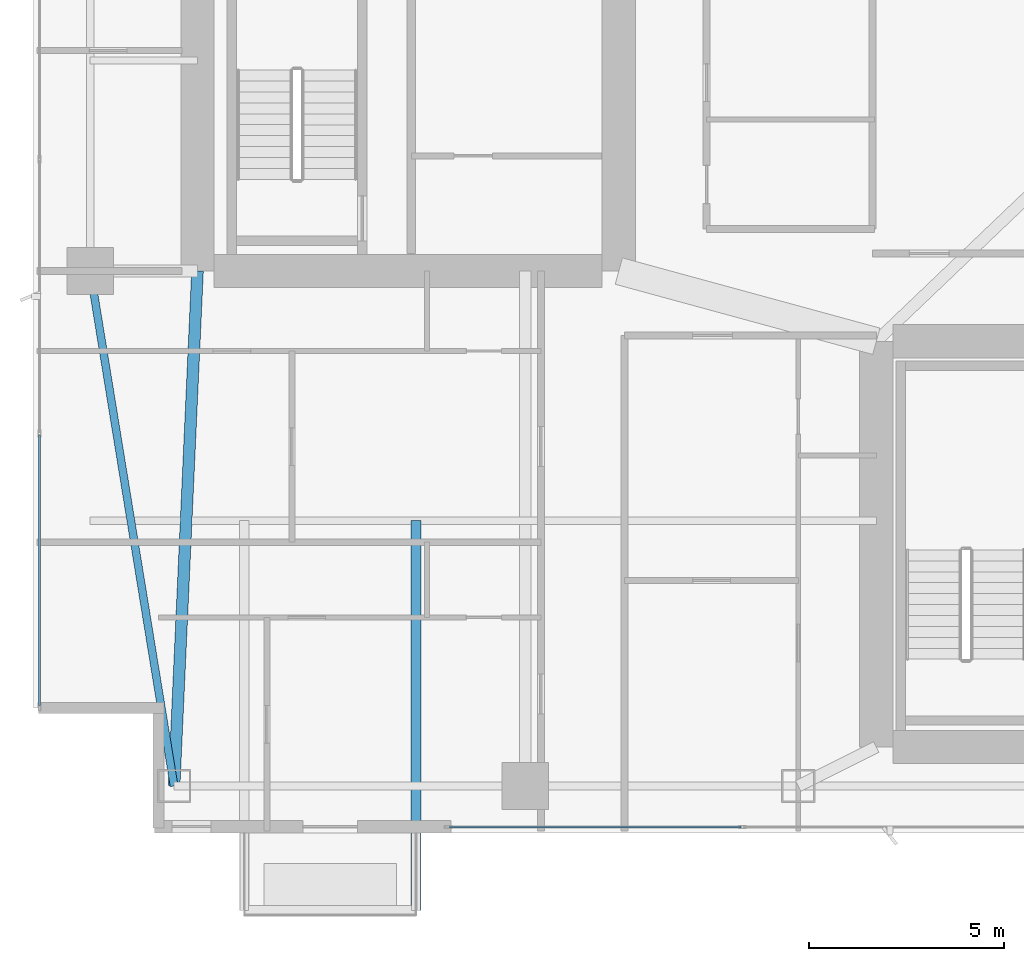
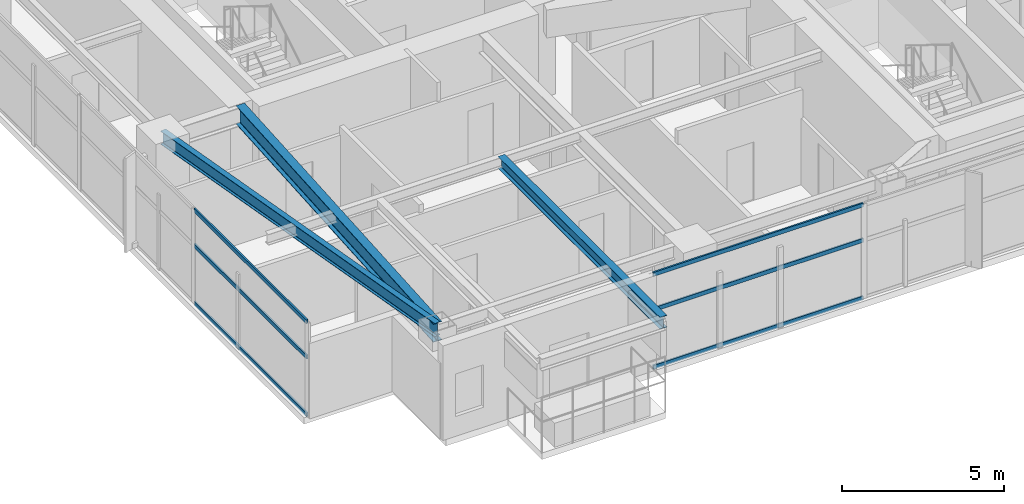
# One storey, part 3 of 29: 6 members, 3 beams, 2 elements without a shape of their own.
"""IFC4 building model written with IfcOpenShell, lengths in metres."""

from ifc_helpers import new_model, si_unit, direction, frame, origin, origin_2d, place, context, subcontext, project, spatial, hollow_rectangle, i_section, extrude, material, layer, layer_set, material_profile, profile_set, type_object, element, aggregate, save


model = new_model("IFC4")

# Units and contexts
model_context = context("Model", 3, precision=1e-05, world=origin(), true_north=direction((0.0, 1.0)))
body_context = subcontext(model_context, "Body", "Model", "MODEL_VIEW")
ifc_project = project(units=[si_unit("LENGTHUNIT", "METRE"), si_unit("AREAUNIT", "SQUARE_METRE"), si_unit("VOLUMEUNIT", "CUBIC_METRE"), si_unit("PLANEANGLEUNIT", "RADIAN"), si_unit("MASSUNIT", "GRAM", prefix="KILO")], contexts=[model_context])

# Site, building, storey
site_placement = place(None, origin())
site = spatial("IfcSite", under=ifc_project, at=site_placement, CompositionType="ELEMENT")
building_placement = place(site_placement, origin())
building = spatial("IfcBuilding", under=site, at=building_placement, Name="Calvorn Quay Hotel", CompositionType="ELEMENT")
storey_placement = place(building_placement, frame((0.0, 0.0, 120.199951171875)))
storey = spatial("IfcBuildingStorey", under=building, at=storey_placement, Name="L29", CompositionType="ELEMENT", Elevation=120.199951171875)

# Beams
ifc_material_1 = material(Name="Steel Q355B", Category="steel")
ifc_material_profile_1 = material_profile(ifc_material_1, i_section(OverallWidth=0.25, OverallDepth=0.449951171875, WebThickness=0.011962890625, FlangeThickness=0.01611328125, FilletRadius=0.01611328125, at=origin_2d()), Name="HN450x250x12x16")
ifc_profile_set_1 = profile_set([ifc_material_profile_1], Name="Steel Q355B")
beam_type_1 = type_object("IfcBeamType", Name="BM-CANT-BALC", PredefinedType="BEAM", material=ifc_profile_set_1)
beam_1_placement = place(storey_placement, frame((9.800048828125, 10.39990234375, 3.31494140625), z_axis=(0.0, -1.0, 0.0), x_axis=(1.0, 0.0, 0.0)))
element("IfcBeam", 1, at=beam_1_placement, inside=storey, type_object=beam_type_1, Name="Cantilever Balcony Beam BCB-L30-2B", PredefinedType="BEAM", context=body_context, shape_type="SweptSolid", body=[
    extrude(i_section(OverallWidth=0.25, OverallDepth=0.449951171875, WebThickness=0.011962890625, FlangeThickness=0.01611328125, FilletRadius=0.01611328125, at=origin_2d()), origin(), (0.0, 0.0, 1.0), 9.989990234375),
])
ifc_material_2 = material(Name="Steel Q390GJC", Category="steel")
ifc_material_profile_2 = material_profile(ifc_material_2, i_section(OverallWidth=0.300048828125, OverallDepth=0.699951171875, WebThickness=0.012939453125, FlangeThickness=0.02392578125, FilletRadius=0.02392578125, at=origin_2d()), Name="HN700x300x13x24")
ifc_profile_set_2 = profile_set([ifc_material_profile_2], Name="Steel Q390GJC")
beam_type_2 = type_object("IfcBeamType", Name="BM-GIRD-MAIN", PredefinedType="BEAM", material=ifc_profile_set_2)
beam_2_placement = place(storey_placement, frame((3.60009765625, 3.60009765625, 3.18994140625), z_axis=(0.045396765494, 0.998969035397, 0.0), x_axis=(-0.998969035397, 0.045396765494, 0.0)))
element("IfcBeam", 2, at=beam_2_placement, inside=storey, type_object=beam_type_2, Name="Beam BG-L29-W0", PredefinedType="BEAM", context=body_context, shape_type="SweptSolid", body=[
    extrude(i_section(OverallWidth=0.300048828125, OverallDepth=0.699951171875, WebThickness=0.012939453125, FlangeThickness=0.02392578125, FilletRadius=0.02392578125, at=origin_2d()), origin(), (0.0, 0.0, 1.0), 13.213623046875),
])
ifc_material_3 = material(Name="Steel Q355B", Category="steel")
ifc_material_profile_3 = material_profile(ifc_material_3, i_section(OverallWidth=0.199951171875, OverallDepth=0.5, WebThickness=0.010009765625, FlangeThickness=0.01611328125, FilletRadius=0.01611328125, at=origin_2d()), Name="HN500x200x10x16")
ifc_profile_set_3 = profile_set([ifc_material_profile_3], Name="Steel Q355B")
beam_type_3 = type_object("IfcBeamType", Name="BM-SPANDREL-Z1", PredefinedType="SPANDREL", material=ifc_profile_set_3)
beam_3_placement = place(storey_placement, frame((3.60009765625, 3.60009765625, 3.2900390625), z_axis=(-0.16077155054, 0.986991645627, 0.0), x_axis=(-0.986991645627, -0.16077155054, 0.0)))
element("IfcBeam", 3, at=beam_3_placement, inside=storey, type_object=beam_type_3, Name="Beam BSP-L29-W1", PredefinedType="SPANDREL", context=body_context, shape_type="SweptSolid", body=[
    extrude(i_section(OverallWidth=0.199951171875, OverallDepth=0.5, WebThickness=0.010009765625, FlangeThickness=0.01611328125, FilletRadius=0.01611328125, at=origin_2d()), origin(), (0.0, 0.0, 1.0), 13.3740234375),
])

# Curtain wall, members
ifc_material_4 = material(Name="Pale Anodised Aluminium and Low-E Glass", Category="aluminium")
ifc_layer = layer(ifc_material_4, 0.219970703125)
ifc_layer_set = layer_set([ifc_layer], Name="CW-SYS-Z2")
curtain_wall_type = type_object("IfcCurtainWallType", Name="CW-SYS-Z2", PredefinedType="NOTDEFINED", material=ifc_layer_set)
curtain_wall_1_placement = place(storey_placement, origin())
curtain_wall_1 = element("IfcCurtainWall", 4, at=curtain_wall_1_placement, inside=storey, type_object=curtain_wall_type, Name="Tower West Curtain Wall (L29)", PredefinedType="NOTDEFINED")
ifc_material_5 = material(Name="Pale Anodised Aluminium 6063-T6", Category="aluminium")
ifc_material_profile_4 = material_profile(ifc_material_5, hollow_rectangle(XDim=0.06005859375, YDim=0.14990234375, WallThickness=0.00341796875, at=origin_2d()), Name="ALU-T150x60x3.5")
ifc_profile_set_4 = profile_set([ifc_material_profile_4], Name="Pale Anodised Aluminium 6063-T6")
member_type = type_object("IfcMemberType", Name="CW-SYS-Z2-TRN", PredefinedType="USERDEFINED", material=ifc_profile_set_4)
member_1_placement = place(storey_placement, frame((0.14990234375, 5.659912109375, 0.030029296875), z_axis=(0.0, 1.0, 0.0), x_axis=(-1.0, 0.0, 0.0)))
member_1 = element("IfcMember", 5, at=member_1_placement, type_object=member_type, Name="CW-L29-W transom 1.1", ObjectType="TRANSOM", PredefinedType="USERDEFINED", context=body_context, shape_type="SweptSolid", body=[
    extrude(hollow_rectangle(XDim=0.06005859375, YDim=0.14990234375, WallThickness=0.00341796875, at=origin_2d()), origin(), (0.0, 0.0, 1.0), 6.943359375),
])
member_2_placement = place(storey_placement, frame((0.14990234375, 5.659912109375, 2.199951171875), z_axis=(0.0, 1.0, 0.0), x_axis=(-1.0, 0.0, 0.0)))
member_2 = element("IfcMember", 6, at=member_2_placement, type_object=member_type, Name="CW-L29-W transom 1.2", ObjectType="TRANSOM", PredefinedType="USERDEFINED", context=body_context, shape_type="SweptSolid", body=[
    extrude(hollow_rectangle(XDim=0.06005859375, YDim=0.14990234375, WallThickness=0.00341796875, at=origin_2d()), origin(), (0.0, 0.0, 1.0), 6.943359375),
])
member_3_placement = place(storey_placement, frame((0.14990234375, 5.659912109375, 3.530029296875), z_axis=(0.0, 1.0, 0.0), x_axis=(-1.0, 0.0, 0.0)))
member_3 = element("IfcMember", 7, at=member_3_placement, type_object=member_type, Name="CW-L29-W transom 1.3", ObjectType="TRANSOM", PredefinedType="USERDEFINED", context=body_context, shape_type="SweptSolid", body=[
    extrude(hollow_rectangle(XDim=0.06005859375, YDim=0.14990234375, WallThickness=0.00341796875, at=origin_2d()), origin(), (0.0, 0.0, 1.0), 6.943359375),
])
aggregate(curtain_wall_1, [member_1, member_2, member_3])

curtain_wall_2_placement = place(storey_placement, origin())
curtain_wall_2 = element("IfcCurtainWall", 8, at=curtain_wall_2_placement, inside=storey, type_object=curtain_wall_type, Name="Tower South Waterfront Curtain Wall (L29)", PredefinedType="NOTDEFINED")
member_4_placement = place(storey_placement, frame((10.659912109375, 2.550048828125, 0.030029296875), z_axis=(1.0, 0.0, 0.0), x_axis=(0.0, 1.0, 0.0)))
member_4 = element("IfcMember", 9, at=member_4_placement, type_object=member_type, Name="CW-L29-S transom 1.1", ObjectType="TRANSOM", PredefinedType="USERDEFINED", context=body_context, shape_type="SweptSolid", body=[
    extrude(hollow_rectangle(XDim=0.06005859375, YDim=0.14990234375, WallThickness=0.00341796875, at=origin_2d()), origin(), (0.0, 0.0, 1.0), 7.476806640625),
])
member_5_placement = place(storey_placement, frame((10.659912109375, 2.550048828125, 2.199951171875), z_axis=(1.0, 0.0, 0.0), x_axis=(0.0, 1.0, 0.0)))
member_5 = element("IfcMember", 10, at=member_5_placement, type_object=member_type, Name="CW-L29-S transom 1.2", ObjectType="TRANSOM", PredefinedType="USERDEFINED", context=body_context, shape_type="SweptSolid", body=[
    extrude(hollow_rectangle(XDim=0.06005859375, YDim=0.14990234375, WallThickness=0.00341796875, at=origin_2d()), origin(), (0.0, 0.0, 1.0), 7.476806640625),
])
member_6_placement = place(storey_placement, frame((10.659912109375, 2.550048828125, 3.530029296875), z_axis=(1.0, 0.0, 0.0), x_axis=(0.0, 1.0, 0.0)))
member_6 = element("IfcMember", 11, at=member_6_placement, type_object=member_type, Name="CW-L29-S transom 1.3", ObjectType="TRANSOM", PredefinedType="USERDEFINED", context=body_context, shape_type="SweptSolid", body=[
    extrude(hollow_rectangle(XDim=0.06005859375, YDim=0.14990234375, WallThickness=0.00341796875, at=origin_2d()), origin(), (0.0, 0.0, 1.0), 7.476806640625),
])
aggregate(curtain_wall_2, [member_4, member_5, member_6])

save(model, "model.ifc")
